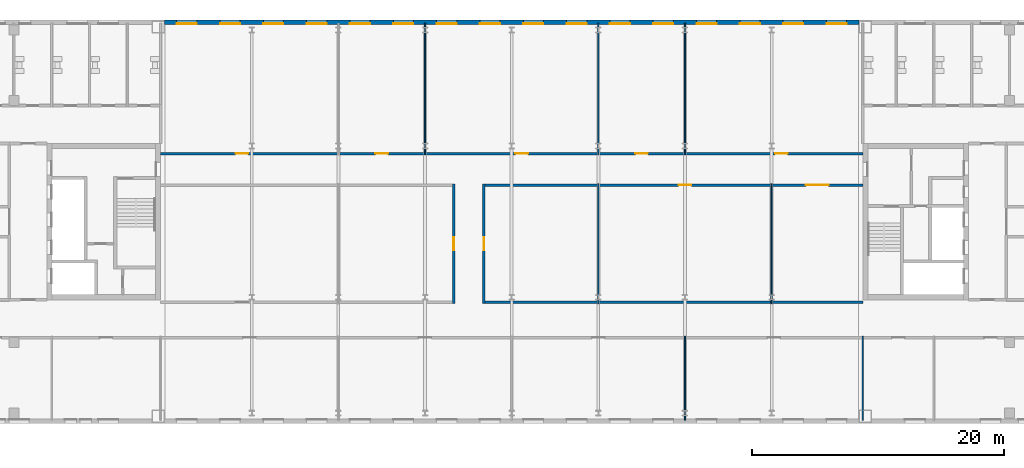
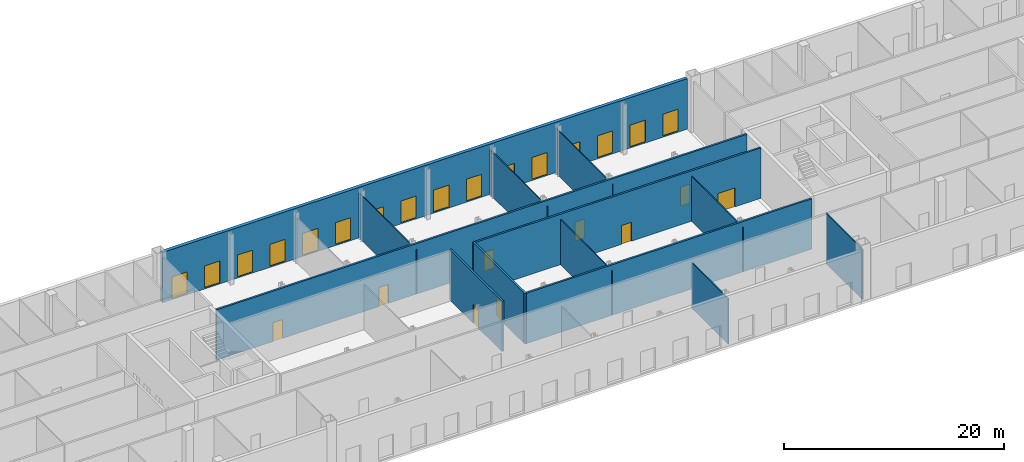
# One storey, part 13 of 20: 16 windows, 13 walls, 9 doors, 25 openings.
"""IFC4 building model written with IfcOpenShell, lengths in metres."""

from ifc_helpers import new_model, si_unit, direction, frame, frame_2d, origin, place, context, subcontext, project, spatial, rectangle, extrude, material, layer, layer_set, type_object, element, fill, save


model = new_model("IFC4")

# Units and contexts
model_context = context("Model", 3, precision=1e-05, world=origin(), true_north=direction((0.0, 1.0)))
body_context = subcontext(model_context, "Body", "Model", "MODEL_VIEW")
ifc_project = project(units=[si_unit("LENGTHUNIT", "METRE"), si_unit("AREAUNIT", "SQUARE_METRE"), si_unit("VOLUMEUNIT", "CUBIC_METRE"), si_unit("PLANEANGLEUNIT", "RADIAN"), si_unit("MASSUNIT", "GRAM", prefix="KILO")], contexts=[model_context])

# Site, building, storey
site_placement = place(None, origin())
site = spatial("IfcSite", under=ifc_project, at=site_placement, CompositionType="ELEMENT")
building_placement = place(site_placement, origin())
building = spatial("IfcBuilding", under=site, at=building_placement, Name="Tuart Gate Housing", CompositionType="ELEMENT")
storey_placement = place(building_placement, frame((0.0, 0.0, 215.199951171875)))
storey = spatial("IfcBuildingStorey", under=building, at=storey_placement, Name="L61", CompositionType="ELEMENT", Elevation=215.199951171875)

# Wall, openings, windows
ifc_material_1 = material(Name="Brick", Category="masonry")
ifc_layer_1 = layer(ifc_material_1, 0.360107421875)
ifc_layer_set_1 = layer_set([ifc_layer_1], Name="Brick pier and spandrel wall 360")
wall_type_1 = type_object("IfcWallType", Name="Brick pier and spandrel wall 360", PredefinedType="STANDARD", material=ifc_layer_set_1)
wall_1_placement = place(storey_placement, frame((131.050048828125, 85.820068359375, 0.0), z_axis=(0.0, 0.0, 1.0), x_axis=(-1.0, 0.0, 0.0)))
wall_1 = element("IfcWall", 1, at=wall_1_placement, inside=storey, type_object=wall_type_1, Name="External wall BLK-N L61", PredefinedType="STANDARD", context=body_context, shape_type="SweptSolid", body=[
    extrude(rectangle(XDim=55.10009765625, YDim=0.360107421875, at=frame_2d((27.550048828125, 0.0))), origin(), (0.0, 0.0, 1.0), 5.60009765625),
])
opening_1_placement = place(wall_1_placement, frame((0.96875, 0.0, 0.14990234375)))
opening_1 = element("IfcOpeningElement", 2, at=opening_1_placement, cuts=wall_1, Name="Opening W2", PredefinedType="OPENING", context=body_context, shape_type="SweptSolid", body=[
    extrude(rectangle(XDim=1.60009765625, YDim=2.39990234375, at=frame_2d((0.800048828125, 1.199951171875))), frame((0.0, 0.18994140625, 0.0), z_axis=(0.0, -1.0, 0.0), x_axis=(1.0, 0.0, 0.0)), (0.0, 0.0, 1.0), 0.380126953125),
])
opening_2_placement = place(wall_1_placement, frame((4.40625, 0.0, 0.14990234375)))
opening_2 = element("IfcOpeningElement", 3, at=opening_2_placement, cuts=wall_1, Name="Opening W2", PredefinedType="OPENING", context=body_context, shape_type="SweptSolid", body=[
    extrude(rectangle(XDim=1.60009765625, YDim=2.39990234375, at=frame_2d((0.800048828125, 1.199951171875))), frame((0.0, 0.18994140625, 0.0), z_axis=(0.0, -1.0, 0.0), x_axis=(1.0, 0.0, 0.0)), (0.0, 0.0, 1.0), 0.380126953125),
])
opening_3_placement = place(wall_1_placement, frame((7.84375, 0.0, 0.14990234375)))
opening_3 = element("IfcOpeningElement", 4, at=opening_3_placement, cuts=wall_1, Name="Opening W2", PredefinedType="OPENING", context=body_context, shape_type="SweptSolid", body=[
    extrude(rectangle(XDim=1.60009765625, YDim=2.39990234375, at=frame_2d((0.800048828125, 1.199951171875))), frame((0.0, 0.18994140625, 0.0), z_axis=(0.0, -1.0, 0.0), x_axis=(1.0, 0.0, 0.0)), (0.0, 0.0, 1.0), 0.380126953125),
])
opening_4_placement = place(wall_1_placement, frame((11.28125, 0.0, 0.14990234375)))
opening_4 = element("IfcOpeningElement", 5, at=opening_4_placement, cuts=wall_1, Name="Opening W2", PredefinedType="OPENING", context=body_context, shape_type="SweptSolid", body=[
    extrude(rectangle(XDim=1.60009765625, YDim=2.39990234375, at=frame_2d((0.800048828125, 1.199951171875))), frame((0.0, 0.18994140625, 0.0), z_axis=(0.0, -1.0, 0.0), x_axis=(1.0, 0.0, 0.0)), (0.0, 0.0, 1.0), 0.380126953125),
])
opening_5_placement = place(wall_1_placement, frame((14.71875, 0.0, 0.14990234375)))
opening_5 = element("IfcOpeningElement", 6, at=opening_5_placement, cuts=wall_1, Name="Opening W2", PredefinedType="OPENING", context=body_context, shape_type="SweptSolid", body=[
    extrude(rectangle(XDim=1.60009765625, YDim=2.39990234375, at=frame_2d((0.800048828125, 1.199951171875))), frame((0.0, 0.18994140625, 0.0), z_axis=(0.0, -1.0, 0.0), x_axis=(1.0, 0.0, 0.0)), (0.0, 0.0, 1.0), 0.380126953125),
])
opening_6_placement = place(wall_1_placement, frame((18.15625, 0.0, 0.14990234375)))
opening_6 = element("IfcOpeningElement", 7, at=opening_6_placement, cuts=wall_1, Name="Opening W2", PredefinedType="OPENING", context=body_context, shape_type="SweptSolid", body=[
    extrude(rectangle(XDim=1.60009765625, YDim=2.39990234375, at=frame_2d((0.800048828125, 1.199951171875))), frame((0.0, 0.18994140625, 0.0), z_axis=(0.0, -1.0, 0.0), x_axis=(1.0, 0.0, 0.0)), (0.0, 0.0, 1.0), 0.380126953125),
])
opening_7_placement = place(wall_1_placement, frame((21.59375, 0.0, 0.14990234375)))
opening_7 = element("IfcOpeningElement", 8, at=opening_7_placement, cuts=wall_1, Name="Opening W2", PredefinedType="OPENING", context=body_context, shape_type="SweptSolid", body=[
    extrude(rectangle(XDim=1.60009765625, YDim=2.39990234375, at=frame_2d((0.800048828125, 1.199951171875))), frame((0.0, 0.18994140625, 0.0), z_axis=(0.0, -1.0, 0.0), x_axis=(1.0, 0.0, 0.0)), (0.0, 0.0, 1.0), 0.380126953125),
])
opening_8_placement = place(wall_1_placement, frame((25.03125, 0.0, 0.14990234375)))
opening_8 = element("IfcOpeningElement", 9, at=opening_8_placement, cuts=wall_1, Name="Opening W2", PredefinedType="OPENING", context=body_context, shape_type="SweptSolid", body=[
    extrude(rectangle(XDim=1.60009765625, YDim=2.39990234375, at=frame_2d((0.800048828125, 1.199951171875))), frame((0.0, 0.18994140625, 0.0), z_axis=(0.0, -1.0, 0.0), x_axis=(1.0, 0.0, 0.0)), (0.0, 0.0, 1.0), 0.380126953125),
])
opening_9_placement = place(wall_1_placement, frame((28.46875, 0.0, 0.14990234375)))
opening_9 = element("IfcOpeningElement", 10, at=opening_9_placement, cuts=wall_1, Name="Opening W2", PredefinedType="OPENING", context=body_context, shape_type="SweptSolid", body=[
    extrude(rectangle(XDim=1.60009765625, YDim=2.39990234375, at=frame_2d((0.800048828125, 1.199951171875))), frame((0.0, 0.18994140625, 0.0), z_axis=(0.0, -1.0, 0.0), x_axis=(1.0, 0.0, 0.0)), (0.0, 0.0, 1.0), 0.380126953125),
])
opening_10_placement = place(wall_1_placement, frame((31.90625, 0.0, 0.14990234375)))
opening_10 = element("IfcOpeningElement", 11, at=opening_10_placement, cuts=wall_1, Name="Opening W2", PredefinedType="OPENING", context=body_context, shape_type="SweptSolid", body=[
    extrude(rectangle(XDim=1.60009765625, YDim=2.39990234375, at=frame_2d((0.800048828125, 1.199951171875))), frame((0.0, 0.18994140625, 0.0), z_axis=(0.0, -1.0, 0.0), x_axis=(1.0, 0.0, 0.0)), (0.0, 0.0, 1.0), 0.380126953125),
])
opening_11_placement = place(wall_1_placement, frame((35.34375, 0.0, 0.14990234375)))
opening_11 = element("IfcOpeningElement", 12, at=opening_11_placement, cuts=wall_1, Name="Opening W2", PredefinedType="OPENING", context=body_context, shape_type="SweptSolid", body=[
    extrude(rectangle(XDim=1.60009765625, YDim=2.39990234375, at=frame_2d((0.800048828125, 1.199951171875))), frame((0.0, 0.18994140625, 0.0), z_axis=(0.0, -1.0, 0.0), x_axis=(1.0, 0.0, 0.0)), (0.0, 0.0, 1.0), 0.380126953125),
])
opening_12_placement = place(wall_1_placement, frame((38.78125, 0.0, 0.14990234375)))
opening_12 = element("IfcOpeningElement", 13, at=opening_12_placement, cuts=wall_1, Name="Opening W2", PredefinedType="OPENING", context=body_context, shape_type="SweptSolid", body=[
    extrude(rectangle(XDim=1.60009765625, YDim=2.39990234375, at=frame_2d((0.800048828125, 1.199951171875))), frame((0.0, 0.18994140625, 0.0), z_axis=(0.0, -1.0, 0.0), x_axis=(1.0, 0.0, 0.0)), (0.0, 0.0, 1.0), 0.380126953125),
])
opening_13_placement = place(wall_1_placement, frame((42.21875, 0.0, 0.14990234375)))
opening_13 = element("IfcOpeningElement", 14, at=opening_13_placement, cuts=wall_1, Name="Opening W2", PredefinedType="OPENING", context=body_context, shape_type="SweptSolid", body=[
    extrude(rectangle(XDim=1.60009765625, YDim=2.39990234375, at=frame_2d((0.800048828125, 1.199951171875))), frame((0.0, 0.18994140625, 0.0), z_axis=(0.0, -1.0, 0.0), x_axis=(1.0, 0.0, 0.0)), (0.0, 0.0, 1.0), 0.380126953125),
])
opening_14_placement = place(wall_1_placement, frame((45.65625, 0.0, 0.14990234375)))
opening_14 = element("IfcOpeningElement", 15, at=opening_14_placement, cuts=wall_1, Name="Opening W2", PredefinedType="OPENING", context=body_context, shape_type="SweptSolid", body=[
    extrude(rectangle(XDim=1.60009765625, YDim=2.39990234375, at=frame_2d((0.800048828125, 1.199951171875))), frame((0.0, 0.18994140625, 0.0), z_axis=(0.0, -1.0, 0.0), x_axis=(1.0, 0.0, 0.0)), (0.0, 0.0, 1.0), 0.380126953125),
])
opening_15_placement = place(wall_1_placement, frame((49.09375, 0.0, 0.14990234375)))
opening_15 = element("IfcOpeningElement", 16, at=opening_15_placement, cuts=wall_1, Name="Opening W2", PredefinedType="OPENING", context=body_context, shape_type="SweptSolid", body=[
    extrude(rectangle(XDim=1.60009765625, YDim=2.39990234375, at=frame_2d((0.800048828125, 1.199951171875))), frame((0.0, 0.18994140625, 0.0), z_axis=(0.0, -1.0, 0.0), x_axis=(1.0, 0.0, 0.0)), (0.0, 0.0, 1.0), 0.380126953125),
])
opening_16_placement = place(wall_1_placement, frame((52.53125, 0.0, 0.14990234375)))
opening_16 = element("IfcOpeningElement", 17, at=opening_16_placement, cuts=wall_1, Name="Opening W2", PredefinedType="OPENING", context=body_context, shape_type="SweptSolid", body=[
    extrude(rectangle(XDim=1.60009765625, YDim=2.39990234375, at=frame_2d((0.800048828125, 1.199951171875))), frame((0.0, 0.18994140625, 0.0), z_axis=(0.0, -1.0, 0.0), x_axis=(1.0, 0.0, 0.0)), (0.0, 0.0, 1.0), 0.380126953125),
])
ifc_material_2 = material(Name="Aluminium frame with clear glass", Category="aluminium")
window_type = type_object("IfcWindowType", Name="Garden lounge window 1600 x 2400", PartitioningType="SINGLE_PANEL", PredefinedType="WINDOW", material=ifc_material_2)
window_1_placement = place(opening_1_placement, origin())
window_1 = element("IfcWindow", 18, at=window_1_placement, inside=storey, type_object=window_type, Name="Window W2", OverallHeight=2.39990234375, OverallWidth=1.60009765625, PartitioningType="SINGLE_PANEL", PredefinedType="WINDOW", context=body_context, shape_type="SweptSolid", body=[
    extrude(rectangle(XDim=1.60009765625, YDim=2.39990234375, at=frame_2d((0.800048828125, 1.199951171875))), frame((0.0, 0.150146484375, 0.0), z_axis=(0.0, -1.0, 0.0), x_axis=(1.0, 0.0, 0.0)), (0.0, 0.0, 1.0), 0.06005859375),
])
fill(opening_1, window_1)
window_2_placement = place(opening_2_placement, origin())
window_2 = element("IfcWindow", 19, at=window_2_placement, inside=storey, type_object=window_type, Name="Window W2", OverallHeight=2.39990234375, OverallWidth=1.60009765625, PartitioningType="SINGLE_PANEL", PredefinedType="WINDOW", context=body_context, shape_type="SweptSolid", body=[
    extrude(rectangle(XDim=1.60009765625, YDim=2.39990234375, at=frame_2d((0.800048828125, 1.199951171875))), frame((0.0, 0.150146484375, 0.0), z_axis=(0.0, -1.0, 0.0), x_axis=(1.0, 0.0, 0.0)), (0.0, 0.0, 1.0), 0.06005859375),
])
fill(opening_2, window_2)
window_3_placement = place(opening_3_placement, origin())
window_3 = element("IfcWindow", 20, at=window_3_placement, inside=storey, type_object=window_type, Name="Window W2", OverallHeight=2.39990234375, OverallWidth=1.60009765625, PartitioningType="SINGLE_PANEL", PredefinedType="WINDOW", context=body_context, shape_type="SweptSolid", body=[
    extrude(rectangle(XDim=1.60009765625, YDim=2.39990234375, at=frame_2d((0.800048828125, 1.199951171875))), frame((0.0, 0.150146484375, 0.0), z_axis=(0.0, -1.0, 0.0), x_axis=(1.0, 0.0, 0.0)), (0.0, 0.0, 1.0), 0.06005859375),
])
fill(opening_3, window_3)
window_4_placement = place(opening_4_placement, origin())
window_4 = element("IfcWindow", 21, at=window_4_placement, inside=storey, type_object=window_type, Name="Window W2", OverallHeight=2.39990234375, OverallWidth=1.60009765625, PartitioningType="SINGLE_PANEL", PredefinedType="WINDOW", context=body_context, shape_type="SweptSolid", body=[
    extrude(rectangle(XDim=1.60009765625, YDim=2.39990234375, at=frame_2d((0.800048828125, 1.199951171875))), frame((0.0, 0.150146484375, 0.0), z_axis=(0.0, -1.0, 0.0), x_axis=(1.0, 0.0, 0.0)), (0.0, 0.0, 1.0), 0.06005859375),
])
fill(opening_4, window_4)
window_5_placement = place(opening_5_placement, origin())
window_5 = element("IfcWindow", 22, at=window_5_placement, inside=storey, type_object=window_type, Name="Window W2", OverallHeight=2.39990234375, OverallWidth=1.60009765625, PartitioningType="SINGLE_PANEL", PredefinedType="WINDOW", context=body_context, shape_type="SweptSolid", body=[
    extrude(rectangle(XDim=1.60009765625, YDim=2.39990234375, at=frame_2d((0.800048828125, 1.199951171875))), frame((0.0, 0.150146484375, 0.0), z_axis=(0.0, -1.0, 0.0), x_axis=(1.0, 0.0, 0.0)), (0.0, 0.0, 1.0), 0.06005859375),
])
fill(opening_5, window_5)
window_6_placement = place(opening_6_placement, origin())
window_6 = element("IfcWindow", 23, at=window_6_placement, inside=storey, type_object=window_type, Name="Window W2", OverallHeight=2.39990234375, OverallWidth=1.60009765625, PartitioningType="SINGLE_PANEL", PredefinedType="WINDOW", context=body_context, shape_type="SweptSolid", body=[
    extrude(rectangle(XDim=1.60009765625, YDim=2.39990234375, at=frame_2d((0.800048828125, 1.199951171875))), frame((0.0, 0.150146484375, 0.0), z_axis=(0.0, -1.0, 0.0), x_axis=(1.0, 0.0, 0.0)), (0.0, 0.0, 1.0), 0.06005859375),
])
fill(opening_6, window_6)
window_7_placement = place(opening_7_placement, origin())
window_7 = element("IfcWindow", 24, at=window_7_placement, inside=storey, type_object=window_type, Name="Window W2", OverallHeight=2.39990234375, OverallWidth=1.60009765625, PartitioningType="SINGLE_PANEL", PredefinedType="WINDOW", context=body_context, shape_type="SweptSolid", body=[
    extrude(rectangle(XDim=1.60009765625, YDim=2.39990234375, at=frame_2d((0.800048828125, 1.199951171875))), frame((0.0, 0.150146484375, 0.0), z_axis=(0.0, -1.0, 0.0), x_axis=(1.0, 0.0, 0.0)), (0.0, 0.0, 1.0), 0.06005859375),
])
fill(opening_7, window_7)
window_8_placement = place(opening_8_placement, origin())
window_8 = element("IfcWindow", 25, at=window_8_placement, inside=storey, type_object=window_type, Name="Window W2", OverallHeight=2.39990234375, OverallWidth=1.60009765625, PartitioningType="SINGLE_PANEL", PredefinedType="WINDOW", context=body_context, shape_type="SweptSolid", body=[
    extrude(rectangle(XDim=1.60009765625, YDim=2.39990234375, at=frame_2d((0.800048828125, 1.199951171875))), frame((0.0, 0.150146484375, 0.0), z_axis=(0.0, -1.0, 0.0), x_axis=(1.0, 0.0, 0.0)), (0.0, 0.0, 1.0), 0.06005859375),
])
fill(opening_8, window_8)
window_9_placement = place(opening_9_placement, origin())
window_9 = element("IfcWindow", 26, at=window_9_placement, inside=storey, type_object=window_type, Name="Window W2", OverallHeight=2.39990234375, OverallWidth=1.60009765625, PartitioningType="SINGLE_PANEL", PredefinedType="WINDOW", context=body_context, shape_type="SweptSolid", body=[
    extrude(rectangle(XDim=1.60009765625, YDim=2.39990234375, at=frame_2d((0.800048828125, 1.199951171875))), frame((0.0, 0.150146484375, 0.0), z_axis=(0.0, -1.0, 0.0), x_axis=(1.0, 0.0, 0.0)), (0.0, 0.0, 1.0), 0.06005859375),
])
fill(opening_9, window_9)
window_10_placement = place(opening_10_placement, origin())
window_10 = element("IfcWindow", 27, at=window_10_placement, inside=storey, type_object=window_type, Name="Window W2", OverallHeight=2.39990234375, OverallWidth=1.60009765625, PartitioningType="SINGLE_PANEL", PredefinedType="WINDOW", context=body_context, shape_type="SweptSolid", body=[
    extrude(rectangle(XDim=1.60009765625, YDim=2.39990234375, at=frame_2d((0.800048828125, 1.199951171875))), frame((0.0, 0.150146484375, 0.0), z_axis=(0.0, -1.0, 0.0), x_axis=(1.0, 0.0, 0.0)), (0.0, 0.0, 1.0), 0.06005859375),
])
fill(opening_10, window_10)
window_11_placement = place(opening_11_placement, origin())
window_11 = element("IfcWindow", 28, at=window_11_placement, inside=storey, type_object=window_type, Name="Window W2", OverallHeight=2.39990234375, OverallWidth=1.60009765625, PartitioningType="SINGLE_PANEL", PredefinedType="WINDOW", context=body_context, shape_type="SweptSolid", body=[
    extrude(rectangle(XDim=1.60009765625, YDim=2.39990234375, at=frame_2d((0.800048828125, 1.199951171875))), frame((0.0, 0.150146484375, 0.0), z_axis=(0.0, -1.0, 0.0), x_axis=(1.0, 0.0, 0.0)), (0.0, 0.0, 1.0), 0.06005859375),
])
fill(opening_11, window_11)
window_12_placement = place(opening_12_placement, origin())
window_12 = element("IfcWindow", 29, at=window_12_placement, inside=storey, type_object=window_type, Name="Window W2", OverallHeight=2.39990234375, OverallWidth=1.60009765625, PartitioningType="SINGLE_PANEL", PredefinedType="WINDOW", context=body_context, shape_type="SweptSolid", body=[
    extrude(rectangle(XDim=1.60009765625, YDim=2.39990234375, at=frame_2d((0.800048828125, 1.199951171875))), frame((0.0, 0.150146484375, 0.0), z_axis=(0.0, -1.0, 0.0), x_axis=(1.0, 0.0, 0.0)), (0.0, 0.0, 1.0), 0.06005859375),
])
fill(opening_12, window_12)
window_13_placement = place(opening_13_placement, origin())
window_13 = element("IfcWindow", 30, at=window_13_placement, inside=storey, type_object=window_type, Name="Window W2", OverallHeight=2.39990234375, OverallWidth=1.60009765625, PartitioningType="SINGLE_PANEL", PredefinedType="WINDOW", context=body_context, shape_type="SweptSolid", body=[
    extrude(rectangle(XDim=1.60009765625, YDim=2.39990234375, at=frame_2d((0.800048828125, 1.199951171875))), frame((0.0, 0.150146484375, 0.0), z_axis=(0.0, -1.0, 0.0), x_axis=(1.0, 0.0, 0.0)), (0.0, 0.0, 1.0), 0.06005859375),
])
fill(opening_13, window_13)
window_14_placement = place(opening_14_placement, origin())
window_14 = element("IfcWindow", 31, at=window_14_placement, inside=storey, type_object=window_type, Name="Window W2", OverallHeight=2.39990234375, OverallWidth=1.60009765625, PartitioningType="SINGLE_PANEL", PredefinedType="WINDOW", context=body_context, shape_type="SweptSolid", body=[
    extrude(rectangle(XDim=1.60009765625, YDim=2.39990234375, at=frame_2d((0.800048828125, 1.199951171875))), frame((0.0, 0.150146484375, 0.0), z_axis=(0.0, -1.0, 0.0), x_axis=(1.0, 0.0, 0.0)), (0.0, 0.0, 1.0), 0.06005859375),
])
fill(opening_14, window_14)
window_15_placement = place(opening_15_placement, origin())
window_15 = element("IfcWindow", 32, at=window_15_placement, inside=storey, type_object=window_type, Name="Window W2", OverallHeight=2.39990234375, OverallWidth=1.60009765625, PartitioningType="SINGLE_PANEL", PredefinedType="WINDOW", context=body_context, shape_type="SweptSolid", body=[
    extrude(rectangle(XDim=1.60009765625, YDim=2.39990234375, at=frame_2d((0.800048828125, 1.199951171875))), frame((0.0, 0.150146484375, 0.0), z_axis=(0.0, -1.0, 0.0), x_axis=(1.0, 0.0, 0.0)), (0.0, 0.0, 1.0), 0.06005859375),
])
fill(opening_15, window_15)
window_16_placement = place(opening_16_placement, origin())
window_16 = element("IfcWindow", 33, at=window_16_placement, inside=storey, type_object=window_type, Name="Window W2", OverallHeight=2.39990234375, OverallWidth=1.60009765625, PartitioningType="SINGLE_PANEL", PredefinedType="WINDOW", context=body_context, shape_type="SweptSolid", body=[
    extrude(rectangle(XDim=1.60009765625, YDim=2.39990234375, at=frame_2d((0.800048828125, 1.199951171875))), frame((0.0, 0.150146484375, 0.0), z_axis=(0.0, -1.0, 0.0), x_axis=(1.0, 0.0, 0.0)), (0.0, 0.0, 1.0), 0.06005859375),
])
fill(opening_16, window_16)

# Wall
ifc_material_3 = material(Name="Concrete masonry 15 MPa", Category="masonry")
ifc_layer_2 = layer(ifc_material_3, 0.199951171875)
ifc_layer_set_2 = layer_set([ifc_layer_2], Name="Corridor wall masonry 200")
wall_type_2 = type_object("IfcWallType", Name="Corridor wall masonry 200", PredefinedType="PARTITIONING", material=ifc_layer_set_2)
wall_2_placement = place(storey_placement, frame((101.199951171875, 63.60009765625, 0.0), z_axis=(0.0, 0.0, 1.0), x_axis=(1.0, 0.0, 0.0)))
element("IfcWall", 34, at=wall_2_placement, inside=storey, type_object=wall_type_2, Name="Corridor wall masonry 200", PredefinedType="PARTITIONING", context=body_context, shape_type="SweptSolid", body=[
    extrude(rectangle(XDim=30.16015625, YDim=0.199951171875, at=frame_2d((15.080078125, 0.0))), origin(), (0.0, 0.0, 1.0), 5.60009765625),
])

# Wall, openings, doors
wall_3_placement = place(storey_placement, frame((101.199951171875, 72.89990234375, 0.0), z_axis=(0.0, 0.0, 1.0), x_axis=(1.0, 0.0, 0.0)))
wall_3 = element("IfcWall", 35, at=wall_3_placement, inside=storey, type_object=wall_type_2, Name="Corridor wall masonry 200", PredefinedType="PARTITIONING", context=body_context, shape_type="SweptSolid", body=[
    extrude(rectangle(XDim=30.16015625, YDim=0.199951171875, at=frame_2d((15.080078125, 0.0))), origin(), (0.0, 0.0, 1.0), 5.60009765625),
])
opening_17_placement = place(wall_3_placement, frame((15.550048828125, 0.0, 0.0)))
opening_17 = element("IfcOpeningElement", 36, at=opening_17_placement, cuts=wall_3, Name="Opening D3039", PredefinedType="OPENING", context=body_context, shape_type="SweptSolid", body=[
    extrude(rectangle(XDim=1.0, YDim=2.10009765625, at=frame_2d((0.5, 1.050048828125))), frame((0.0, 0.10986328125, 0.0), z_axis=(0.0, -1.0, 0.0), x_axis=(1.0, 0.0, 0.0)), (0.0, 0.0, 1.0), 0.219970703125),
])
opening_18_placement = place(wall_3_placement, frame((25.64306640625, 0.0, 0.0)))
opening_18 = element("IfcOpeningElement", 37, at=opening_18_placement, cuts=wall_3, Name="Opening D3038", PredefinedType="OPENING", context=body_context, shape_type="SweptSolid", body=[
    extrude(rectangle(XDim=1.800048828125, YDim=2.10009765625, at=frame_2d((0.89990234375, 1.050048828125))), frame((0.0, 0.10986328125, 0.0), z_axis=(0.0, -1.0, 0.0), x_axis=(1.0, 0.0, 0.0)), (0.0, 0.0, 1.0), 0.219970703125),
])
ifc_material_4 = material(Name="Timber door leaf in steel frame", Category="steel")
door_type_1 = type_object("IfcDoorType", Name="Double door 1800", OperationType="DOUBLE_DOOR_SINGLE_SWING", PredefinedType="DOOR", material=ifc_material_4)
door_1_placement = place(opening_18_placement, frame((1.800048828125, 0.0, 0.0), z_axis=(0.0, 0.0, 1.0), x_axis=(-1.0, 0.0, 0.0)))
door_1 = element("IfcDoor", 38, at=door_1_placement, inside=storey, type_object=door_type_1, Name="Double door 1800", OperationType="DOUBLE_DOOR_SINGLE_SWING", OverallHeight=2.10009765625, OverallWidth=1.800048828125, PredefinedType="DOOR", context=body_context, shape_type="SweptSolid", body=[
    extrude(rectangle(XDim=1.800048828125, YDim=2.10009765625, at=frame_2d((0.900146484375, 1.050048828125))), frame((0.0, 0.025146484375, 0.0), z_axis=(0.0, -1.0, 0.0), x_axis=(1.0, 0.0, 0.0)), (0.0, 0.0, 1.0), 0.050048828125),
])
fill(opening_18, door_1)
ifc_material_5 = material(Name="Timber door leaf in steel frame", Category="steel")
door_type_2 = type_object("IfcDoorType", Name="Fire door 1000 RH", OperationType="SINGLE_SWING_RIGHT", PredefinedType="DOOR", material=ifc_material_5)
door_2_placement = place(opening_17_placement, frame((1.0, 0.0, 0.0), z_axis=(0.0, 0.0, 1.0), x_axis=(-1.0, 0.0, 0.0)))
door_2 = element("IfcDoor", 39, at=door_2_placement, inside=storey, type_object=door_type_2, Name="Fire door 1000", OperationType="SINGLE_SWING_RIGHT", OverallHeight=2.10009765625, OverallWidth=1.0, PredefinedType="DOOR", context=body_context, shape_type="SweptSolid", body=[
    extrude(rectangle(XDim=1.0, YDim=2.10009765625, at=frame_2d((0.5, 1.050048828125))), frame((0.0, 0.025146484375, 0.0), z_axis=(0.0, -1.0, 0.0), x_axis=(1.0, 0.0, 0.0)), (0.0, 0.0, 1.0), 0.050048828125),
])
fill(opening_17, door_2)

wall_4_placement = place(storey_placement, frame((75.639892578125, 75.39990234375, 0.0), z_axis=(0.0, 0.0, 1.0), x_axis=(1.0, 0.0, 0.0)))
wall_4 = element("IfcWall", 40, at=wall_4_placement, inside=storey, type_object=wall_type_2, Name="Corridor wall masonry 200", PredefinedType="PARTITIONING", context=body_context, shape_type="SweptSolid", body=[
    extrude(rectangle(XDim=55.72021484375, YDim=0.199951171875, at=frame_2d((27.860107421875, 0.0))), origin(), (0.0, 0.0, 1.0), 5.60009765625),
])
opening_19_placement = place(wall_4_placement, frame((5.955078125, 0.0, 0.0)))
opening_19 = element("IfcOpeningElement", 41, at=opening_19_placement, cuts=wall_4, Name="Opening D3033", PredefinedType="OPENING", context=body_context, shape_type="SweptSolid", body=[
    extrude(rectangle(XDim=1.0, YDim=2.10009765625, at=frame_2d((0.5, 1.050048828125))), frame((0.0, 0.10986328125, 0.0), z_axis=(0.0, -1.0, 0.0), x_axis=(1.0, 0.0, 0.0)), (0.0, 0.0, 1.0), 0.219970703125),
])
opening_20_placement = place(wall_4_placement, frame((17.048095703125, 0.0, 0.0)))
opening_20 = element("IfcOpeningElement", 42, at=opening_20_placement, cuts=wall_4, Name="Opening D3034", PredefinedType="OPENING", context=body_context, shape_type="SweptSolid", body=[
    extrude(rectangle(XDim=1.0, YDim=2.10009765625, at=frame_2d((0.5, 1.050048828125))), frame((0.0, 0.10986328125, 0.0), z_axis=(0.0, -1.0, 0.0), x_axis=(1.0, 0.0, 0.0)), (0.0, 0.0, 1.0), 0.219970703125),
])
opening_21_placement = place(wall_4_placement, frame((28.159912109375, 0.0, 0.0)))
opening_21 = element("IfcOpeningElement", 43, at=opening_21_placement, cuts=wall_4, Name="Opening D3035", PredefinedType="OPENING", context=body_context, shape_type="SweptSolid", body=[
    extrude(rectangle(XDim=1.0, YDim=2.10009765625, at=frame_2d((0.5, 1.050048828125))), frame((0.0, 0.10986328125, 0.0), z_axis=(0.0, -1.0, 0.0), x_axis=(1.0, 0.0, 0.0)), (0.0, 0.0, 1.0), 0.219970703125),
])
opening_22_placement = place(wall_4_placement, frame((37.672119140625, 0.0, 0.0)))
opening_22 = element("IfcOpeningElement", 44, at=opening_22_placement, cuts=wall_4, Name="Opening D3036", PredefinedType="OPENING", context=body_context, shape_type="SweptSolid", body=[
    extrude(rectangle(XDim=1.0, YDim=2.10009765625, at=frame_2d((0.5, 1.050048828125))), frame((0.0, 0.10986328125, 0.0), z_axis=(0.0, -1.0, 0.0), x_axis=(1.0, 0.0, 0.0)), (0.0, 0.0, 1.0), 0.219970703125),
])
opening_23_placement = place(wall_4_placement, frame((48.764892578125, 0.0, 0.0)))
opening_23 = element("IfcOpeningElement", 45, at=opening_23_placement, cuts=wall_4, Name="Opening D3037", PredefinedType="OPENING", context=body_context, shape_type="SweptSolid", body=[
    extrude(rectangle(XDim=1.0, YDim=2.10009765625, at=frame_2d((0.5, 1.050048828125))), frame((0.0, 0.10986328125, 0.0), z_axis=(0.0, -1.0, 0.0), x_axis=(1.0, 0.0, 0.0)), (0.0, 0.0, 1.0), 0.219970703125),
])
ifc_material_6 = material(Name="Timber door leaf in steel frame", Category="steel")
door_type_3 = type_object("IfcDoorType", Name="Fire door 1000", OperationType="SINGLE_SWING_LEFT", PredefinedType="DOOR", material=ifc_material_6)
door_3_placement = place(opening_19_placement, origin())
door_3 = element("IfcDoor", 46, at=door_3_placement, inside=storey, type_object=door_type_3, Name="Fire door 1000", OperationType="SINGLE_SWING_LEFT", OverallHeight=2.10009765625, OverallWidth=1.0, PredefinedType="DOOR", context=body_context, shape_type="SweptSolid", body=[
    extrude(rectangle(XDim=1.0, YDim=2.10009765625, at=frame_2d((0.5, 1.050048828125))), frame((0.0, 0.02490234375, 0.0), z_axis=(0.0, -1.0, 0.0), x_axis=(1.0, 0.0, 0.0)), (0.0, 0.0, 1.0), 0.050048828125),
])
fill(opening_19, door_3)
door_4_placement = place(opening_22_placement, origin())
door_4 = element("IfcDoor", 47, at=door_4_placement, inside=storey, type_object=door_type_3, Name="Fire door 1000", OperationType="SINGLE_SWING_LEFT", OverallHeight=2.10009765625, OverallWidth=1.0, PredefinedType="DOOR", context=body_context, shape_type="SweptSolid", body=[
    extrude(rectangle(XDim=1.0, YDim=2.10009765625, at=frame_2d((0.5, 1.050048828125))), frame((0.0, 0.02490234375, 0.0), z_axis=(0.0, -1.0, 0.0), x_axis=(1.0, 0.0, 0.0)), (0.0, 0.0, 1.0), 0.050048828125),
])
fill(opening_22, door_4)
door_5_placement = place(opening_20_placement, origin())
door_5 = element("IfcDoor", 48, at=door_5_placement, inside=storey, type_object=door_type_2, Name="Fire door 1000", OperationType="SINGLE_SWING_RIGHT", OverallHeight=2.10009765625, OverallWidth=1.0, PredefinedType="DOOR", context=body_context, shape_type="SweptSolid", body=[
    extrude(rectangle(XDim=1.0, YDim=2.10009765625, at=frame_2d((0.5, 1.050048828125))), frame((0.0, 0.02490234375, 0.0), z_axis=(0.0, -1.0, 0.0), x_axis=(1.0, 0.0, 0.0)), (0.0, 0.0, 1.0), 0.050048828125),
])
fill(opening_20, door_5)
door_6_placement = place(opening_21_placement, origin())
door_6 = element("IfcDoor", 49, at=door_6_placement, inside=storey, type_object=door_type_2, Name="Fire door 1000", OperationType="SINGLE_SWING_RIGHT", OverallHeight=2.10009765625, OverallWidth=1.0, PredefinedType="DOOR", context=body_context, shape_type="SweptSolid", body=[
    extrude(rectangle(XDim=1.0, YDim=2.10009765625, at=frame_2d((0.5, 1.050048828125))), frame((0.0, 0.02490234375, 0.0), z_axis=(0.0, -1.0, 0.0), x_axis=(1.0, 0.0, 0.0)), (0.0, 0.0, 1.0), 0.050048828125),
])
fill(opening_21, door_6)
door_7_placement = place(opening_23_placement, origin())
door_7 = element("IfcDoor", 50, at=door_7_placement, inside=storey, type_object=door_type_2, Name="Fire door 1000", OperationType="SINGLE_SWING_RIGHT", OverallHeight=2.10009765625, OverallWidth=1.0, PredefinedType="DOOR", context=body_context, shape_type="SweptSolid", body=[
    extrude(rectangle(XDim=1.0, YDim=2.10009765625, at=frame_2d((0.5, 1.050048828125))), frame((0.0, 0.02490234375, 0.0), z_axis=(0.0, -1.0, 0.0), x_axis=(1.0, 0.0, 0.0)), (0.0, 0.0, 1.0), 0.050048828125),
])
fill(opening_23, door_7)

# Wall, opening, door
wall_5_placement = place(storey_placement, frame((98.89990234375, 63.5, 0.0), z_axis=(0.0, 0.0, 1.0), x_axis=(0.0, 1.0, 0.0)))
wall_5 = element("IfcWall", 51, at=wall_5_placement, inside=storey, type_object=wall_type_2, Name="Corridor wall masonry 200", PredefinedType="PARTITIONING", context=body_context, shape_type="SweptSolid", body=[
    extrude(rectangle(XDim=9.5, YDim=0.199951171875, at=frame_2d((4.75, 0.0))), origin(), (0.0, 0.0, 1.0), 5.60009765625),
])
opening_24_placement = place(wall_5_placement, frame((4.25, 0.0, 0.0)))
opening_24 = element("IfcOpeningElement", 52, at=opening_24_placement, cuts=wall_5, Name="Opening D3040", PredefinedType="OPENING", context=body_context, shape_type="SweptSolid", body=[
    extrude(rectangle(XDim=1.0, YDim=2.10009765625, at=frame_2d((0.5, 1.050048828125))), frame((0.0, 0.10986328125, 0.0), z_axis=(0.0, -1.0, 0.0), x_axis=(1.0, 0.0, 0.0)), (0.0, 0.0, 1.0), 0.219970703125),
])
door_8_placement = place(opening_24_placement, origin())
door_8 = element("IfcDoor", 53, at=door_8_placement, inside=storey, type_object=door_type_3, Name="Fire door 1000", OperationType="SINGLE_SWING_LEFT", OverallHeight=2.10009765625, OverallWidth=1.0, PredefinedType="DOOR", context=body_context, shape_type="SweptSolid", body=[
    extrude(rectangle(XDim=1.0, YDim=2.10009765625, at=frame_2d((0.5, 1.050048828125))), frame((0.0, 0.02490234375, 0.0), z_axis=(0.0, -1.0, 0.0), x_axis=(1.0, 0.0, 0.0)), (0.0, 0.0, 1.0), 0.050048828125),
])
fill(opening_24, door_8)

wall_6_placement = place(storey_placement, frame((101.300048828125, 63.5, 0.0), z_axis=(0.0, 0.0, 1.0), x_axis=(0.0, 1.0, 0.0)))
wall_6 = element("IfcWall", 54, at=wall_6_placement, inside=storey, type_object=wall_type_2, Name="Corridor wall masonry 200", PredefinedType="PARTITIONING", context=body_context, shape_type="SweptSolid", body=[
    extrude(rectangle(XDim=9.5, YDim=0.199951171875, at=frame_2d((4.75, 0.0))), origin(), (0.0, 0.0, 1.0), 5.60009765625),
])
opening_25_placement = place(wall_6_placement, frame((4.25, 0.0, 0.0)))
opening_25 = element("IfcOpeningElement", 55, at=opening_25_placement, cuts=wall_6, Name="Opening D3041", PredefinedType="OPENING", context=body_context, shape_type="SweptSolid", body=[
    extrude(rectangle(XDim=1.0, YDim=2.10009765625, at=frame_2d((0.5, 1.050048828125))), frame((0.0, 0.10986328125, 0.0), z_axis=(0.0, -1.0, 0.0), x_axis=(1.0, 0.0, 0.0)), (0.0, 0.0, 1.0), 0.219970703125),
])
door_9_placement = place(opening_25_placement, frame((1.0, 0.0, 0.0), z_axis=(0.0, 0.0, 1.0), x_axis=(-1.0, 0.0, 0.0)))
door_9 = element("IfcDoor", 56, at=door_9_placement, inside=storey, type_object=door_type_2, Name="Fire door 1000", OperationType="SINGLE_SWING_RIGHT", OverallHeight=2.10009765625, OverallWidth=1.0, PredefinedType="DOOR", context=body_context, shape_type="SweptSolid", body=[
    extrude(rectangle(XDim=1.0, YDim=2.10009765625, at=frame_2d((0.5, 1.050048828125))), frame((0.0, 0.025146484375, 0.0), z_axis=(0.0, -1.0, 0.0), x_axis=(1.0, 0.0, 0.0)), (0.0, 0.0, 1.0), 0.050048828125),
])
fill(opening_25, door_9)

# Walls
ifc_material_7 = material(Name="Gypsum board on steel studs", Category="steel")
ifc_layer_3 = layer(ifc_material_7, 0.10009765625)
ifc_layer_set_3 = layer_set([ifc_layer_3], Name="Partition 100")
wall_type_3 = type_object("IfcWallType", Name="Partition 100", PredefinedType="PARTITIONING", material=ifc_layer_set_3)
wall_7_placement = place(storey_placement, frame((96.625, 75.300048828125, 0.0), z_axis=(0.0, 0.0, 1.0), x_axis=(0.0, 1.0, 0.0)))
element("IfcWall", 57, at=wall_7_placement, inside=storey, type_object=wall_type_3, Name="Partition 100", PredefinedType="PARTITIONING", context=body_context, shape_type="SweptSolid", body=[
    extrude(rectangle(XDim=10.4599609375, YDim=0.10009765625, at=frame_2d((5.22998046875, 0.0))), origin(), (0.0, 0.0, 1.0), 4.988037109375),
])
wall_8_placement = place(storey_placement, frame((110.375, 63.5, 0.0), z_axis=(0.0, 0.0, 1.0), x_axis=(0.0, 1.0, 0.0)))
element("IfcWall", 58, at=wall_8_placement, inside=storey, type_object=wall_type_3, Name="Partition 100", PredefinedType="PARTITIONING", context=body_context, shape_type="SweptSolid", body=[
    extrude(rectangle(XDim=9.5, YDim=0.10009765625, at=frame_2d((4.75, 0.0))), origin(), (0.0, 0.0, 1.0), 4.988037109375),
])
wall_9_placement = place(storey_placement, frame((110.375, 75.300048828125, 0.0), z_axis=(0.0, 0.0, 1.0), x_axis=(0.0, 1.0, 0.0)))
element("IfcWall", 59, at=wall_9_placement, inside=storey, type_object=wall_type_3, Name="Partition 100", PredefinedType="PARTITIONING", context=body_context, shape_type="SweptSolid", body=[
    extrude(rectangle(XDim=10.4599609375, YDim=0.10009765625, at=frame_2d((5.22998046875, 0.0))), origin(), (0.0, 0.0, 1.0), 4.988037109375),
])
wall_10_placement = place(storey_placement, frame((117.25, 54.239990234375, 0.0), z_axis=(0.0, 0.0, 1.0), x_axis=(0.0, 1.0, 0.0)))
element("IfcWall", 60, at=wall_10_placement, inside=storey, type_object=wall_type_3, Name="Partition 100", PredefinedType="PARTITIONING", context=body_context, shape_type="SweptSolid", body=[
    extrude(rectangle(XDim=6.659912109375, YDim=0.10009765625, at=frame_2d((3.330078125, 0.0))), origin(), (0.0, 0.0, 1.0), 5.067138671875),
])
wall_11_placement = place(storey_placement, frame((117.25, 75.300048828125, 0.0), z_axis=(0.0, 0.0, 1.0), x_axis=(0.0, 1.0, 0.0)))
element("IfcWall", 61, at=wall_11_placement, inside=storey, type_object=wall_type_3, Name="Partition 100", PredefinedType="PARTITIONING", context=body_context, shape_type="SweptSolid", body=[
    extrude(rectangle(XDim=10.4599609375, YDim=0.10009765625, at=frame_2d((5.22998046875, 0.0))), origin(), (0.0, 0.0, 1.0), 4.988037109375),
])
wall_12_placement = place(storey_placement, frame((124.125, 63.5, 0.0), z_axis=(0.0, 0.0, 1.0), x_axis=(0.0, 1.0, 0.0)))
element("IfcWall", 62, at=wall_12_placement, inside=storey, type_object=wall_type_3, Name="Partition 100", PredefinedType="PARTITIONING", context=body_context, shape_type="SweptSolid", body=[
    extrude(rectangle(XDim=9.5, YDim=0.10009765625, at=frame_2d((4.75, 0.0))), origin(), (0.0, 0.0, 1.0), 4.988037109375),
])
wall_13_placement = place(storey_placement, frame((131.360107421875, 54.239990234375, 0.0), z_axis=(0.0, 0.0, 1.0), x_axis=(0.0, 1.0, 0.0)))
element("IfcWall", 63, at=wall_13_placement, inside=storey, type_object=wall_type_3, Name="Partition 100", PredefinedType="PARTITIONING", context=body_context, shape_type="SweptSolid", body=[
    extrude(rectangle(XDim=6.659912109375, YDim=0.10009765625, at=frame_2d((3.330078125, 0.0))), origin(), (0.0, 0.0, 1.0), 5.60009765625),
])

save(model, "model.ifc")
